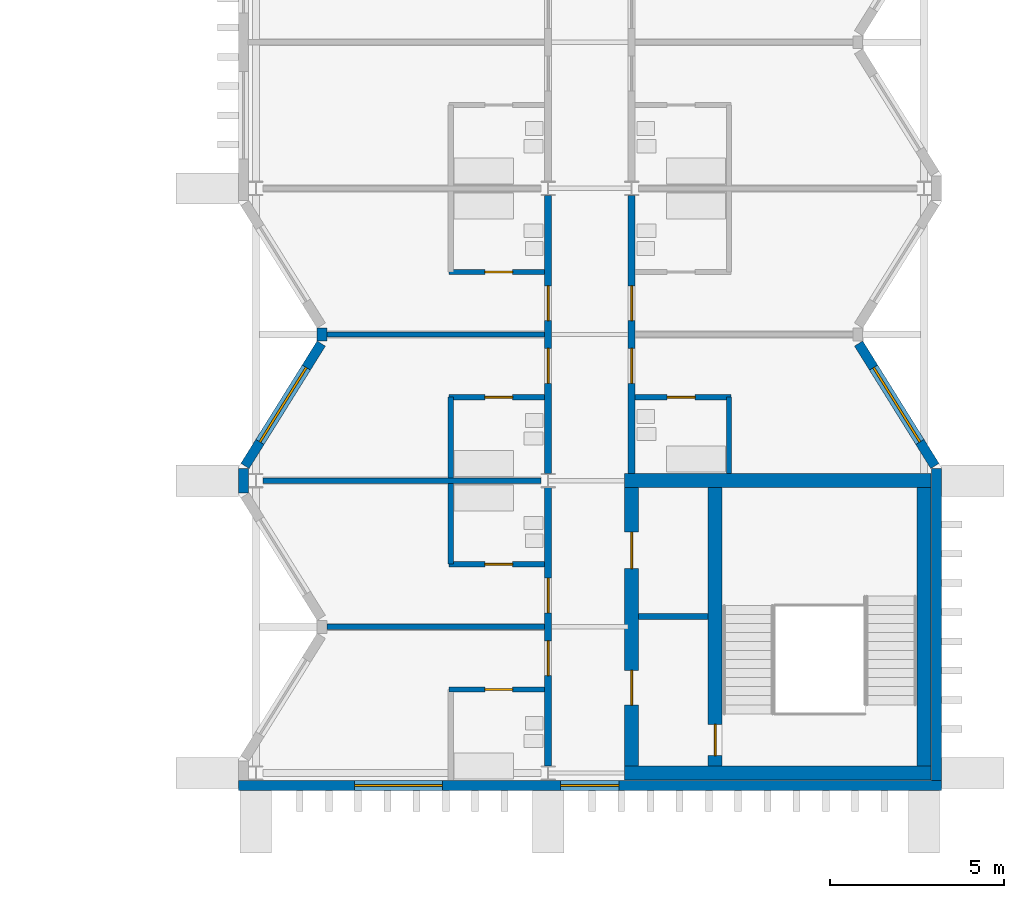
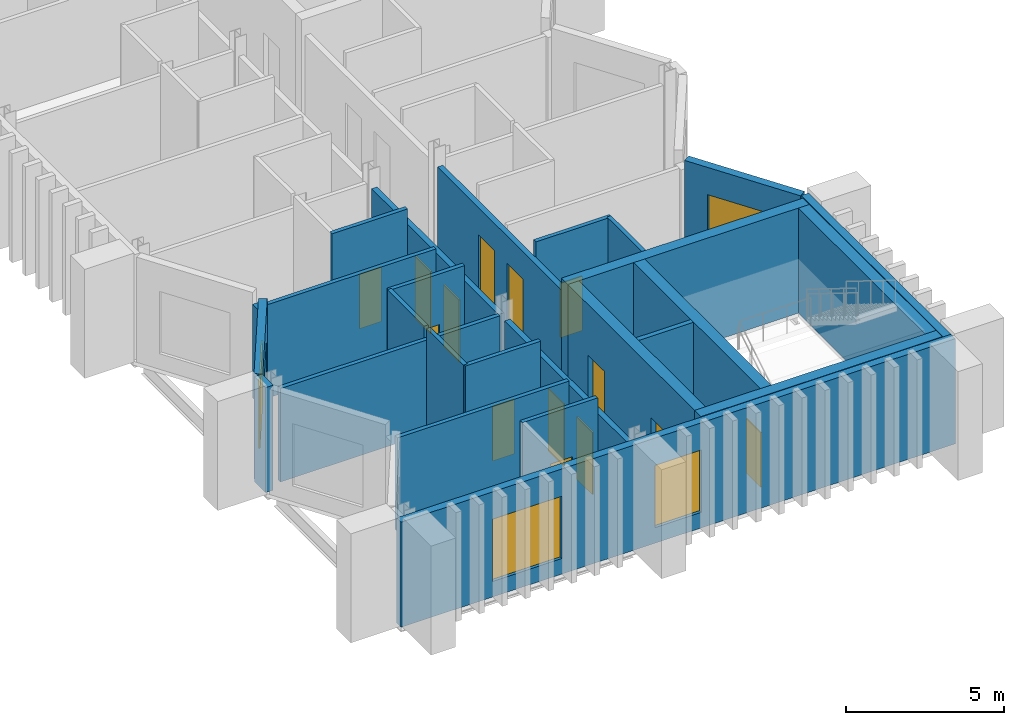
# One storey, part 12 of 20: 26 walls, 14 doors, 4 windows, 18 openings.
"""IFC4 building model written with IfcOpenShell, lengths in metres."""

import ifcopenshell
import ifcopenshell.guid

model = None  # the IFC model being written
_history = None  # IfcOwnerHistory: only IFC2X3 demands one
_inside = {}  # id of a spatial element -> (the spatial element, [elements in it])
_under = {}  # id of a project, library or spatial element -> (it, [spatial elements below it])
_declared = {}  # id of a project -> (the project, [libraries it declares])
_typed = {}  # id of a type object -> (the type object, [elements of that type])
_made_of = {}  # id of a material, layer set ... -> (it, [elements and type objects made of it])


def new_model(schema):
    """Start an empty IFC model of exactly this schema.

    Asked for "IFC4X3", IfcOpenShell would pick the latest addendum, in which some entities
    have other attributes; the version numbers below select the first issue.
    IFC2X3 requires an IfcOwnerHistory on every rooted entity: one is made here for all.
    """
    global model, _history
    if schema == "IFC4X3":
        model = ifcopenshell.file(schema_version=(4, 3, 0, 0))
    else:
        model = ifcopenshell.file(schema=schema)
    _inside.clear()
    _under.clear()
    _declared.clear()
    _typed.clear()
    _made_of.clear()
    _history = None
    if model.schema == "IFC2X3":
        org = make("IfcOrganization", Name="unknown")
        user = make(
            "IfcPersonAndOrganization",
            ThePerson=make("IfcPerson", FamilyName="unknown"),
            TheOrganization=org,
        )
        app = make(
            "IfcApplication",
            ApplicationDeveloper=org,
            Version="unknown",
            ApplicationFullName="unknown",
            ApplicationIdentifier="unknown",
        )
        _history = make(
            "IfcOwnerHistory",
            OwningUser=user,
            OwningApplication=app,
            ChangeAction="ADDED",
            CreationDate=0,
        )
    return model


def make(cls, **values):
    """One entity of the class cls with the attributes given. An attribute that is None is left unset."""
    return model.create_entity(
        cls, **{name: value for name, value in values.items() if value is not None}
    )


def rooted(cls, **values):
    """An entity with a GlobalId (a new one), such as an element, a storey or a relation."""
    return make(cls, GlobalId=ifcopenshell.guid.new(), OwnerHistory=_history, **values)


def si_unit(unit_type, name, prefix=None):
    """IfcSIUnit, for example si_unit("LENGTHUNIT", "METRE", prefix="MILLI")."""
    return make("IfcSIUnit", UnitType=unit_type, Prefix=prefix, Name=name)


def assignment(units):
    """IfcUnitAssignment: the units of a project."""
    return None if units is None else make("IfcUnitAssignment", Units=units)


def point(xyz):
    """IfcCartesianPoint."""
    return None if xyz is None else make("IfcCartesianPoint", Coordinates=xyz)


def direction(xyz):
    """IfcDirection."""
    return None if xyz is None else make("IfcDirection", DirectionRatios=xyz)


def frame(location, z_axis=None, x_axis=None):
    """IfcAxis2Placement3D, a coordinate frame: its origin and axes. An axis left out is left unset."""
    return make(
        "IfcAxis2Placement3D",
        Location=point(location),
        Axis=direction(z_axis),
        RefDirection=direction(x_axis),
    )


def frame_2d(location, x_axis=None):
    """IfcAxis2Placement2D, a coordinate frame in the plane: its origin and x axis."""
    return make(
        "IfcAxis2Placement2D", Location=point(location), RefDirection=direction(x_axis)
    )


def origin():
    """The frame at (0, 0, 0) with its axes left unset."""
    return frame((0.0, 0.0, 0.0))


def place(relative_to, where):
    """IfcLocalPlacement: puts the frame where relative to a parent placement (None: the world)."""
    return make(
        "IfcLocalPlacement", PlacementRelTo=relative_to, RelativePlacement=where
    )


def context(
    kind, dimensions, precision=None, world=None, true_north=None, identifier=None
):
    """IfcGeometricRepresentationContext, for example the 3D "Model" context."""
    return make(
        "IfcGeometricRepresentationContext",
        ContextIdentifier=identifier,
        ContextType=kind,
        CoordinateSpaceDimension=dimensions,
        Precision=precision,
        WorldCoordinateSystem=world,
        TrueNorth=true_north,
    )


def subcontext(parent, identifier, kind, view, scale=None):
    """IfcGeometricRepresentationSubContext, for example "Body" below "Model"."""
    return make(
        "IfcGeometricRepresentationSubContext",
        ContextIdentifier=identifier,
        ContextType=kind,
        ParentContext=parent,
        TargetScale=scale,
        TargetView=view,
    )


def project(units=None, contexts=None):
    """IfcProject with its units and contexts."""
    return rooted(
        "IfcProject",
        Name="project",
        RepresentationContexts=contexts,
        UnitsInContext=assignment(units),
    )


def spatial(cls, under=None, at=None, **own):
    """A site, building, storey or space (cls), placed at a placement, below another one or the project."""
    s = rooted(cls, ObjectPlacement=at, **own)
    if under is not None:
        _under.setdefault(under.id(), (under, []))[1].append(s)
    return s


def profile(cls, at=None, kind="AREA", **sizes):
    """A parametric profile (cls). Its sizes go by their IFC names, for example OverallWidth=200.0."""
    return make(cls, ProfileType=kind, Position=at, **sizes)


def rectangle(**sizes):
    """IfcRectangleProfileDef."""
    return profile("IfcRectangleProfileDef", **sizes)


def extrude(swept, where, along, depth):
    """IfcExtrudedAreaSolid: the profile swept, set in the frame where, extruded along a direction by depth."""
    return make(
        "IfcExtrudedAreaSolid",
        SweptArea=swept,
        Position=where,
        ExtrudedDirection=direction(along),
        Depth=depth,
    )


def shape(context_of_items, identifier, shape_type, items):
    """IfcShapeRepresentation: the items that make up one representation, for example the "Body"."""
    return make(
        "IfcShapeRepresentation",
        ContextOfItems=context_of_items,
        RepresentationIdentifier=identifier,
        RepresentationType=shape_type,
        Items=items,
    )


def material(Name=None, Category=None):
    """IfcMaterial."""
    return make("IfcMaterial", Name=Name, Category=Category)


def layer(
    of_material, thickness, ventilated=None, Name=None, Category=None, Priority=None
):
    """IfcMaterialLayer: one layer of a wall or slab, of a material (None: an air gap)."""
    return make(
        "IfcMaterialLayer",
        Material=of_material,
        LayerThickness=thickness,
        IsVentilated=ventilated,
        Name=Name,
        Category=Category,
        Priority=Priority,
    )


def layer_set(layers, Name=None):
    """IfcMaterialLayerSet."""
    return make("IfcMaterialLayerSet", MaterialLayers=layers, LayerSetName=Name)


def made_of(thing, what):
    """Note that an element or type object is made of a material, layer set ...; save() writes the relation."""
    if what is not None:
        _made_of.setdefault(what.id(), (what, []))[1].append(thing)
    return thing


def type_object(cls, material=None, **own):
    """A type object (cls), such as IfcWallType, which elements share."""
    return made_of(rooted(cls, **own), material)


def element(
    cls,
    number,
    at=None,
    inside=None,
    cuts=None,
    type_object=None,
    material=None,
    context=None,
    identifier="Body",
    shape_type=None,
    held_by="IfcProductDefinitionShape",
    body=None,
    shapes=None,
    **own,
):
    """One element of the class cls, such as IfcWall. Its Tag is "e" and its number.

    at: its placement. inside: the storey or other place that contains it. cuts: it is an
    opening in that element (IfcRelVoidsElement). A single representation is given by context,
    identifier, shape_type and body (its items); several are given by shapes. held_by: the class
    of the entity that holds the representations. save() writes the other relations.
    """
    e = rooted(cls, Tag="e%d" % number, ObjectPlacement=at, **own)
    if body is not None:
        shapes = [shape(context, identifier, shape_type, body)]
    if shapes is not None:
        e.Representation = make(held_by, Representations=shapes)
    if inside is not None:
        _inside.setdefault(inside.id(), (inside, []))[1].append(e)
    if cuts is not None:
        rooted(
            "IfcRelVoidsElement", RelatingBuildingElement=cuts, RelatedOpeningElement=e
        )
    if type_object is not None:
        _typed.setdefault(type_object.id(), (type_object, []))[1].append(e)
    return made_of(e, material)


def fill(opening, filler):
    """IfcRelFillsElement: the door or window that sits in an opening."""
    return rooted(
        "IfcRelFillsElement",
        RelatingOpeningElement=opening,
        RelatedBuildingElement=filler,
    )


def aggregate(whole, parts):
    """IfcRelAggregates: a whole, such as a stair, and the parts it consists of."""
    return rooted("IfcRelAggregates", RelatingObject=whole, RelatedObjects=parts)


def save(model, path):
    """Write the relations noted so far, then the file.

    IfcRelAggregates (storeys below a building ...), IfcRelContainedInSpatialStructure (elements
    in a storey), IfcRelDefinesByType, IfcRelAssociatesMaterial and IfcRelDeclares: one each for
    every whole, place, type object, material and project.
    """
    for whole, parts in _under.values():
        aggregate(whole, parts)
    for where, things in _inside.values():
        rooted(
            "IfcRelContainedInSpatialStructure",
            RelatedElements=things,
            RelatingStructure=where,
        )
    for kind, things in _typed.values():
        rooted("IfcRelDefinesByType", RelatedObjects=things, RelatingType=kind)
    for what, things in _made_of.values():
        rooted("IfcRelAssociatesMaterial", RelatedObjects=things, RelatingMaterial=what)
    for by, libraries in _declared.values():
        rooted("IfcRelDeclares", RelatingContext=by, RelatedDefinitions=libraries)
    model.write(path)


model = new_model("IFC4")

# Units and contexts
model_context = context("Model", 3, precision=1e-05, world=origin(), true_north=direction((0.0, 1.0)))
body_context = subcontext(model_context, "Body", "Model", "MODEL_VIEW")
ifc_project = project(units=[si_unit("LENGTHUNIT", "METRE"), si_unit("AREAUNIT", "SQUARE_METRE"), si_unit("VOLUMEUNIT", "CUBIC_METRE"), si_unit("PLANEANGLEUNIT", "RADIAN"), si_unit("MASSUNIT", "GRAM", prefix="KILO")], contexts=[model_context])

# Site, building, storey
site_placement = place(None, origin())
site = spatial("IfcSite", under=ifc_project, at=site_placement, CompositionType="ELEMENT")
building_placement = place(site_placement, origin())
building = spatial("IfcBuilding", under=site, at=building_placement, Name="Cresset Court Congress Hotel", CompositionType="ELEMENT")
storey_placement = place(building_placement, frame((0.0, 0.0, 27.0)))
storey = spatial("IfcBuildingStorey", under=building, at=storey_placement, Name="L06", CompositionType="ELEMENT", Elevation=27.0)

# Wall, openings, doors
ifc_material_1 = material(Name="Gypsum board partition")
ifc_layer_1 = layer(ifc_material_1, 0.199951171875)
ifc_layer_set_1 = layer_set([ifc_layer_1], Name="Corridor wall 200")
wall_type_1 = type_object("IfcWallType", Name="Corridor wall 200", PredefinedType="PARTITIONING", material=ifc_layer_set_1)
wall_1_placement = place(storey_placement, frame((165.60009765625, 0.199951171875, 0.0), z_axis=(0.0, 0.0, 1.0), x_axis=(0.0, 1.0, 0.0)))
wall_1 = element("IfcWall", 1, at=wall_1_placement, inside=storey, type_object=wall_type_1, Name="A.wl.L06.070", PredefinedType="PARTITIONING", context=body_context, shape_type="SweptSolid", body=[
    extrude(rectangle(XDim=8.0, YDim=0.199951171875, at=frame_2d((4.0, 0.0))), origin(), (0.0, 0.0, 1.0), 3.449951171875),
])
opening_1_placement = place(wall_1_placement, frame((2.60009765625, 0.0, 0.0)))
opening_1 = element("IfcOpeningElement", 2, at=opening_1_placement, cuts=wall_1, Name="Opening DA-06-02", PredefinedType="OPENING", context=body_context, shape_type="SweptSolid", body=[
    extrude(rectangle(XDim=1.0, YDim=2.39990234375, at=frame_2d((0.5, 1.199951171875))), frame((0.0, 0.10986328125, 0.0), z_axis=(0.0, -1.0, 0.0), x_axis=(1.0, 0.0, 0.0)), (0.0, 0.0, 1.0), 0.219970703125),
])
opening_2_placement = place(wall_1_placement, frame((4.39990234375, 0.0, 0.0)))
opening_2 = element("IfcOpeningElement", 3, at=opening_2_placement, cuts=wall_1, Name="Opening DA-06-04", PredefinedType="OPENING", context=body_context, shape_type="SweptSolid", body=[
    extrude(rectangle(XDim=1.0, YDim=2.39990234375, at=frame_2d((0.5, 1.199951171875))), frame((0.0, 0.10986328125, 0.0), z_axis=(0.0, -1.0, 0.0), x_axis=(1.0, 0.0, 0.0)), (0.0, 0.0, 1.0), 0.219970703125),
])
ifc_material_2 = material(Name="timber", Category="wood")
door_type_1 = type_object("IfcDoorType", Name="Guest-room entry door 1000x2400 FD30S", OperationType="SINGLE_SWING_LEFT", PredefinedType="DOOR", material=ifc_material_2)
door_1_placement = place(opening_1_placement, origin())
door_1 = element("IfcDoor", 4, at=door_1_placement, inside=storey, type_object=door_type_1, Name="Door DA-06-02", OperationType="SINGLE_SWING_RIGHT", OverallHeight=2.39990234375, OverallWidth=1.0, PredefinedType="DOOR", context=body_context, shape_type="SweptSolid", body=[
    extrude(rectangle(XDim=1.0, YDim=2.39990234375, at=frame_2d((0.5, 1.199951171875))), frame((0.0, 0.02490234375, 0.0), z_axis=(0.0, -1.0, 0.0), x_axis=(1.0, 0.0, 0.0)), (0.0, 0.0, 1.0), 0.050048828125),
])
fill(opening_1, door_1)
door_2_placement = place(opening_2_placement, origin())
door_2 = element("IfcDoor", 5, at=door_2_placement, inside=storey, type_object=door_type_1, Name="Door DA-06-04", OperationType="SINGLE_SWING_LEFT", OverallHeight=2.39990234375, OverallWidth=1.0, PredefinedType="DOOR", context=body_context, shape_type="SweptSolid", body=[
    extrude(rectangle(XDim=1.0, YDim=2.39990234375, at=frame_2d((0.5, 1.199951171875))), frame((0.0, 0.02490234375, 0.0), z_axis=(0.0, -1.0, 0.0), x_axis=(1.0, 0.0, 0.0)), (0.0, 0.0, 1.0), 0.050048828125),
])
fill(opening_2, door_2)

wall_2_placement = place(storey_placement, frame((165.60009765625, 8.60009765625, 0.0), z_axis=(0.0, 0.0, 1.0), x_axis=(0.0, 1.0, 0.0)))
wall_2 = element("IfcWall", 6, at=wall_2_placement, inside=storey, type_object=wall_type_1, Name="A.wl.L06.071", PredefinedType="PARTITIONING", context=body_context, shape_type="SweptSolid", body=[
    extrude(rectangle(XDim=8.0, YDim=0.199951171875, at=frame_2d((4.0, 0.0))), origin(), (0.0, 0.0, 1.0), 3.449951171875),
])
opening_3_placement = place(wall_2_placement, frame((2.60009765625, 0.0, 0.0)))
opening_3 = element("IfcOpeningElement", 7, at=opening_3_placement, cuts=wall_2, Name="Opening DA-06-06", PredefinedType="OPENING", context=body_context, shape_type="SweptSolid", body=[
    extrude(rectangle(XDim=1.0, YDim=2.39990234375, at=frame_2d((0.5, 1.199951171875))), frame((0.0, 0.10986328125, 0.0), z_axis=(0.0, -1.0, 0.0), x_axis=(1.0, 0.0, 0.0)), (0.0, 0.0, 1.0), 0.219970703125),
])
opening_4_placement = place(wall_2_placement, frame((4.39990234375, 0.0, 0.0)))
opening_4 = element("IfcOpeningElement", 8, at=opening_4_placement, cuts=wall_2, Name="Opening DA-06-08", PredefinedType="OPENING", context=body_context, shape_type="SweptSolid", body=[
    extrude(rectangle(XDim=1.0, YDim=2.39990234375, at=frame_2d((0.5, 1.199951171875))), frame((0.0, 0.10986328125, 0.0), z_axis=(0.0, -1.0, 0.0), x_axis=(1.0, 0.0, 0.0)), (0.0, 0.0, 1.0), 0.219970703125),
])
door_3_placement = place(opening_3_placement, origin())
door_3 = element("IfcDoor", 9, at=door_3_placement, inside=storey, type_object=door_type_1, Name="Door DA-06-06", OperationType="SINGLE_SWING_RIGHT", OverallHeight=2.39990234375, OverallWidth=1.0, PredefinedType="DOOR", context=body_context, shape_type="SweptSolid", body=[
    extrude(rectangle(XDim=1.0, YDim=2.39990234375, at=frame_2d((0.5, 1.199951171875))), frame((0.0, 0.02490234375, 0.0), z_axis=(0.0, -1.0, 0.0), x_axis=(1.0, 0.0, 0.0)), (0.0, 0.0, 1.0), 0.050048828125),
])
fill(opening_3, door_3)
door_4_placement = place(opening_4_placement, origin())
door_4 = element("IfcDoor", 10, at=door_4_placement, inside=storey, type_object=door_type_1, Name="Door DA-06-08", OperationType="SINGLE_SWING_LEFT", OverallHeight=2.39990234375, OverallWidth=1.0, PredefinedType="DOOR", context=body_context, shape_type="SweptSolid", body=[
    extrude(rectangle(XDim=1.0, YDim=2.39990234375, at=frame_2d((0.5, 1.199951171875))), frame((0.0, 0.02490234375, 0.0), z_axis=(0.0, -1.0, 0.0), x_axis=(1.0, 0.0, 0.0)), (0.0, 0.0, 1.0), 0.050048828125),
])
fill(opening_4, door_4)

wall_3_placement = place(storey_placement, frame((168.0, 8.60009765625, 0.0), z_axis=(0.0, 0.0, 1.0), x_axis=(0.0, 1.0, 0.0)))
wall_3 = element("IfcWall", 11, at=wall_3_placement, inside=storey, type_object=wall_type_1, Name="A.wl.L06.078", PredefinedType="PARTITIONING", context=body_context, shape_type="SweptSolid", body=[
    extrude(rectangle(XDim=8.0, YDim=0.199951171875, at=frame_2d((4.0, 0.0))), origin(), (0.0, 0.0, 1.0), 3.449951171875),
])
opening_5_placement = place(wall_3_placement, frame((2.60009765625, 0.0, 0.0)))
opening_5 = element("IfcOpeningElement", 12, at=opening_5_placement, cuts=wall_3, Name="Opening DA-06-34", PredefinedType="OPENING", context=body_context, shape_type="SweptSolid", body=[
    extrude(rectangle(XDim=1.0, YDim=2.39990234375, at=frame_2d((0.5, 1.199951171875))), frame((0.0, 0.10986328125, 0.0), z_axis=(0.0, -1.0, 0.0), x_axis=(1.0, 0.0, 0.0)), (0.0, 0.0, 1.0), 0.219970703125),
])
opening_6_placement = place(wall_3_placement, frame((4.39990234375, 0.0, 0.0)))
opening_6 = element("IfcOpeningElement", 13, at=opening_6_placement, cuts=wall_3, Name="Opening DA-06-36", PredefinedType="OPENING", context=body_context, shape_type="SweptSolid", body=[
    extrude(rectangle(XDim=1.0, YDim=2.39990234375, at=frame_2d((0.5, 1.199951171875))), frame((0.0, 0.10986328125, 0.0), z_axis=(0.0, -1.0, 0.0), x_axis=(1.0, 0.0, 0.0)), (0.0, 0.0, 1.0), 0.219970703125),
])
door_5_placement = place(opening_5_placement, origin())
door_5 = element("IfcDoor", 14, at=door_5_placement, inside=storey, type_object=door_type_1, Name="Door DA-06-34", OperationType="SINGLE_SWING_RIGHT", OverallHeight=2.39990234375, OverallWidth=1.0, PredefinedType="DOOR", context=body_context, shape_type="SweptSolid", body=[
    extrude(rectangle(XDim=1.0, YDim=2.39990234375, at=frame_2d((0.5, 1.199951171875))), frame((0.0, 0.02490234375, 0.0), z_axis=(0.0, -1.0, 0.0), x_axis=(1.0, 0.0, 0.0)), (0.0, 0.0, 1.0), 0.050048828125),
])
fill(opening_5, door_5)
door_6_placement = place(opening_6_placement, origin())
door_6 = element("IfcDoor", 15, at=door_6_placement, inside=storey, type_object=door_type_1, Name="Door DA-06-36", OperationType="SINGLE_SWING_LEFT", OverallHeight=2.39990234375, OverallWidth=1.0, PredefinedType="DOOR", context=body_context, shape_type="SweptSolid", body=[
    extrude(rectangle(XDim=1.0, YDim=2.39990234375, at=frame_2d((0.5, 1.199951171875))), frame((0.0, 0.02490234375, 0.0), z_axis=(0.0, -1.0, 0.0), x_axis=(1.0, 0.0, 0.0)), (0.0, 0.0, 1.0), 0.050048828125),
])
fill(opening_6, door_6)

# Wall, opening, door
ifc_material_3 = material(Name="Gypsum board partition")
ifc_layer_2 = layer(ifc_material_3, 0.14990234375)
ifc_layer_set_2 = layer_set([ifc_layer_2], Name="En-suite wall 150")
wall_type_2 = type_object("IfcWallType", Name="En-suite wall 150", PredefinedType="PARTITIONING", material=ifc_layer_set_2)
wall_4_placement = place(storey_placement, frame((162.75, 2.39990234375, 0.0), z_axis=(0.0, 0.0, 1.0), x_axis=(1.0, 0.0, 0.0)))
wall_4 = element("IfcWall", 16, at=wall_4_placement, inside=storey, type_object=wall_type_2, Name="A.wl.L06.002", PredefinedType="PARTITIONING", context=body_context, shape_type="SweptSolid", body=[
    extrude(rectangle(XDim=2.75, YDim=0.14990234375, at=frame_2d((1.375, 0.0))), origin(), (0.0, 0.0, 1.0), 4.050048828125),
])
opening_7_placement = place(wall_4_placement, frame((1.030029296875, 0.0, 0.0)))
opening_7 = element("IfcOpeningElement", 17, at=opening_7_placement, cuts=wall_4, Name="Opening DA-06-01", PredefinedType="OPENING", context=body_context, shape_type="SweptSolid", body=[
    extrude(rectangle(XDim=0.800048828125, YDim=2.10009765625, at=frame_2d((0.39990234375, 1.050048828125))), frame((0.0, 0.0849609375, 0.0), z_axis=(0.0, -1.0, 0.0), x_axis=(1.0, 0.0, 0.0)), (0.0, 0.0, 1.0), 0.169921875),
])
ifc_material_4 = material(Name="timber", Category="wood")
door_type_2 = type_object("IfcDoorType", Name="En-suite door 800x2100", OperationType="SINGLE_SWING_LEFT", PredefinedType="DOOR", material=ifc_material_4)
door_7_placement = place(opening_7_placement, origin())
door_7 = element("IfcDoor", 18, at=door_7_placement, inside=storey, type_object=door_type_2, Name="Door DA-06-01", OperationType="SINGLE_SWING_RIGHT", OverallHeight=2.10009765625, OverallWidth=0.800048828125, PredefinedType="DOOR", context=body_context, shape_type="SweptSolid", body=[
    extrude(rectangle(XDim=0.800048828125, YDim=2.10009765625, at=frame_2d((0.39990234375, 1.050048828125))), frame((0.0, 0.02490234375, 0.0), z_axis=(0.0, -1.0, 0.0), x_axis=(1.0, 0.0, 0.0)), (0.0, 0.0, 1.0), 0.050048828125),
])
fill(opening_7, door_7)

# Wall
wall_5_placement = place(storey_placement, frame((162.800048828125, 6.0, 0.0), z_axis=(0.0, 0.0, 1.0), x_axis=(0.0, 1.0, 0.0)))
element("IfcWall", 19, at=wall_5_placement, inside=storey, type_object=wall_type_2, Name="A.wl.L06.003", PredefinedType="PARTITIONING", context=body_context, shape_type="SweptSolid", body=[
    extrude(rectangle(XDim=2.324951171875, YDim=0.14990234375, at=frame_2d((1.16259765625, 0.0))), origin(), (0.0, 0.0, 1.0), 4.050048828125),
])

# Wall, opening, door
wall_6_placement = place(storey_placement, frame((162.75, 6.0, 0.0), z_axis=(0.0, 0.0, 1.0), x_axis=(1.0, 0.0, 0.0)))
wall_6 = element("IfcWall", 20, at=wall_6_placement, inside=storey, type_object=wall_type_2, Name="A.wl.L06.004", PredefinedType="PARTITIONING", context=body_context, shape_type="SweptSolid", body=[
    extrude(rectangle(XDim=2.75, YDim=0.14990234375, at=frame_2d((1.375, 0.0))), origin(), (0.0, 0.0, 1.0), 4.050048828125),
])
opening_8_placement = place(wall_6_placement, frame((1.030029296875, 0.0, 0.0)))
opening_8 = element("IfcOpeningElement", 21, at=opening_8_placement, cuts=wall_6, Name="Opening DA-06-03", PredefinedType="OPENING", context=body_context, shape_type="SweptSolid", body=[
    extrude(rectangle(XDim=0.800048828125, YDim=2.10009765625, at=frame_2d((0.39990234375, 1.050048828125))), frame((0.0, 0.0849609375, 0.0), z_axis=(0.0, -1.0, 0.0), x_axis=(1.0, 0.0, 0.0)), (0.0, 0.0, 1.0), 0.169921875),
])
door_8_placement = place(opening_8_placement, origin())
door_8 = element("IfcDoor", 22, at=door_8_placement, inside=storey, type_object=door_type_2, Name="Door DA-06-03", OperationType="SINGLE_SWING_LEFT", OverallHeight=2.10009765625, OverallWidth=0.800048828125, PredefinedType="DOOR", context=body_context, shape_type="SweptSolid", body=[
    extrude(rectangle(XDim=0.800048828125, YDim=2.10009765625, at=frame_2d((0.39990234375, 1.050048828125))), frame((0.0, 0.02490234375, 0.0), z_axis=(0.0, -1.0, 0.0), x_axis=(1.0, 0.0, 0.0)), (0.0, 0.0, 1.0), 0.050048828125),
])
fill(opening_8, door_8)

# Wall
wall_7_placement = place(storey_placement, frame((162.800048828125, 8.47509765625, 0.0), z_axis=(0.0, 0.0, 1.0), x_axis=(0.0, 1.0, 0.0)))
element("IfcWall", 23, at=wall_7_placement, inside=storey, type_object=wall_type_2, Name="A.wl.L06.005", PredefinedType="PARTITIONING", context=body_context, shape_type="SweptSolid", body=[
    extrude(rectangle(XDim=2.324951171875, YDim=0.14990234375, at=frame_2d((1.16259765625, 0.0))), origin(), (0.0, 0.0, 1.0), 4.050048828125),
])

# Wall, opening, door
wall_8_placement = place(storey_placement, frame((162.75, 10.800048828125, 0.0), z_axis=(0.0, 0.0, 1.0), x_axis=(1.0, 0.0, 0.0)))
wall_8 = element("IfcWall", 24, at=wall_8_placement, inside=storey, type_object=wall_type_2, Name="A.wl.L06.006", PredefinedType="PARTITIONING", context=body_context, shape_type="SweptSolid", body=[
    extrude(rectangle(XDim=2.75, YDim=0.14990234375, at=frame_2d((1.375, 0.0))), origin(), (0.0, 0.0, 1.0), 4.050048828125),
])
opening_9_placement = place(wall_8_placement, frame((1.030029296875, 0.0, 0.0)))
opening_9 = element("IfcOpeningElement", 25, at=opening_9_placement, cuts=wall_8, Name="Opening DA-06-05", PredefinedType="OPENING", context=body_context, shape_type="SweptSolid", body=[
    extrude(rectangle(XDim=0.800048828125, YDim=2.10009765625, at=frame_2d((0.39990234375, 1.050048828125))), frame((0.0, 0.0849609375, 0.0), z_axis=(0.0, -1.0, 0.0), x_axis=(1.0, 0.0, 0.0)), (0.0, 0.0, 1.0), 0.169921875),
])
door_9_placement = place(opening_9_placement, origin())
door_9 = element("IfcDoor", 26, at=door_9_placement, inside=storey, type_object=door_type_2, Name="Door DA-06-05", OperationType="SINGLE_SWING_RIGHT", OverallHeight=2.10009765625, OverallWidth=0.800048828125, PredefinedType="DOOR", context=body_context, shape_type="SweptSolid", body=[
    extrude(rectangle(XDim=0.800048828125, YDim=2.10009765625, at=frame_2d((0.39990234375, 1.050048828125))), frame((0.0, 0.02490234375, 0.0), z_axis=(0.0, -1.0, 0.0), x_axis=(1.0, 0.0, 0.0)), (0.0, 0.0, 1.0), 0.050048828125),
])
fill(opening_9, door_9)

wall_9_placement = place(storey_placement, frame((162.75, 14.39990234375, 0.0), z_axis=(0.0, 0.0, 1.0), x_axis=(1.0, 0.0, 0.0)))
wall_9 = element("IfcWall", 27, at=wall_9_placement, inside=storey, type_object=wall_type_2, Name="A.wl.L06.008", PredefinedType="PARTITIONING", context=body_context, shape_type="SweptSolid", body=[
    extrude(rectangle(XDim=2.75, YDim=0.14990234375, at=frame_2d((1.375, 0.0))), origin(), (0.0, 0.0, 1.0), 4.050048828125),
])
opening_10_placement = place(wall_9_placement, frame((1.030029296875, 0.0, 0.0)))
opening_10 = element("IfcOpeningElement", 28, at=opening_10_placement, cuts=wall_9, Name="Opening DA-06-07", PredefinedType="OPENING", context=body_context, shape_type="SweptSolid", body=[
    extrude(rectangle(XDim=0.800048828125, YDim=2.10009765625, at=frame_2d((0.39990234375, 1.050048828125))), frame((0.0, 0.0849609375, 0.0), z_axis=(0.0, -1.0, 0.0), x_axis=(1.0, 0.0, 0.0)), (0.0, 0.0, 1.0), 0.169921875),
])
door_10_placement = place(opening_10_placement, origin())
door_10 = element("IfcDoor", 29, at=door_10_placement, inside=storey, type_object=door_type_2, Name="Door DA-06-07", OperationType="SINGLE_SWING_LEFT", OverallHeight=2.10009765625, OverallWidth=0.800048828125, PredefinedType="DOOR", context=body_context, shape_type="SweptSolid", body=[
    extrude(rectangle(XDim=0.800048828125, YDim=2.10009765625, at=frame_2d((0.39990234375, 1.050048828125))), frame((0.0, 0.02490234375, 0.0), z_axis=(0.0, -1.0, 0.0), x_axis=(1.0, 0.0, 0.0)), (0.0, 0.0, 1.0), 0.050048828125),
])
fill(opening_10, door_10)

# Wall
wall_10_placement = place(storey_placement, frame((170.800048828125, 8.60009765625, 0.0), z_axis=(0.0, 0.0, 1.0), x_axis=(0.0, 1.0, 0.0)))
element("IfcWall", 30, at=wall_10_placement, inside=storey, type_object=wall_type_2, Name="A.wl.L06.033", PredefinedType="PARTITIONING", context=body_context, shape_type="SweptSolid", body=[
    extrude(rectangle(XDim=2.199951171875, YDim=0.14990234375, at=frame_2d((1.10009765625, 0.0))), origin(), (0.0, 0.0, 1.0), 4.050048828125),
])

# Wall, opening, door
wall_11_placement = place(storey_placement, frame((170.85009765625, 10.800048828125, 0.0), z_axis=(0.0, 0.0, 1.0), x_axis=(-1.0, 0.0, 0.0)))
wall_11 = element("IfcWall", 31, at=wall_11_placement, inside=storey, type_object=wall_type_2, Name="A.wl.L06.034", PredefinedType="PARTITIONING", context=body_context, shape_type="SweptSolid", body=[
    extrude(rectangle(XDim=2.75, YDim=0.14990234375, at=frame_2d((1.375, 0.0))), origin(), (0.0, 0.0, 1.0), 4.050048828125),
])
opening_11_placement = place(wall_11_placement, frame((1.030029296875, 0.0, 0.0)))
opening_11 = element("IfcOpeningElement", 32, at=opening_11_placement, cuts=wall_11, Name="Opening DA-06-33", PredefinedType="OPENING", context=body_context, shape_type="SweptSolid", body=[
    extrude(rectangle(XDim=0.800048828125, YDim=2.10009765625, at=frame_2d((0.39990234375, 1.050048828125))), frame((0.0, 0.0849609375, 0.0), z_axis=(0.0, -1.0, 0.0), x_axis=(1.0, 0.0, 0.0)), (0.0, 0.0, 1.0), 0.169921875),
])
door_11_placement = place(opening_11_placement, origin())
door_11 = element("IfcDoor", 33, at=door_11_placement, inside=storey, type_object=door_type_2, Name="Door DA-06-33", OperationType="SINGLE_SWING_RIGHT", OverallHeight=2.10009765625, OverallWidth=0.800048828125, PredefinedType="DOOR", context=body_context, shape_type="SweptSolid", body=[
    extrude(rectangle(XDim=0.800048828125, YDim=2.10009765625, at=frame_2d((0.39990234375, 1.050048828125))), frame((0.0, 0.02490234375, 0.0), z_axis=(0.0, -1.0, 0.0), x_axis=(1.0, 0.0, 0.0)), (0.0, 0.0, 1.0), 0.050048828125),
])
fill(opening_11, door_11)

# Wall
ifc_material_5 = material(Name="Precast concrete C50", Category="concrete")
ifc_layer_3 = layer(ifc_material_5, 0.280029296875)
ifc_layer_set_3 = layer_set([ifc_layer_3], Name="External wall 280")
wall_type_3 = type_object("IfcWallType", Name="External wall 280", PredefinedType="SOLIDWALL", material=ifc_layer_set_3)
wall_12_placement = place(storey_placement, frame((156.840087890625, 8.050048828125, 0.0), z_axis=(0.0, 0.0, 1.0), x_axis=(0.0, 1.0, 0.0)))
element("IfcWall", 34, at=wall_12_placement, inside=storey, type_object=wall_type_3, Name="A.ew.L06.W.2", PredefinedType="SOLIDWALL", context=body_context, shape_type="SweptSolid", body=[
    extrude(rectangle(XDim=0.699951171875, YDim=0.280029296875, at=frame_2d((0.35009765625, 0.0))), origin(), (0.0, 0.0, 1.0), 4.050048828125),
])

# Wall, opening, window
wall_13_placement = place(storey_placement, frame((156.88623046875, 8.82421875, 0.0), z_axis=(0.0, 0.0, 1.0), x_axis=(0.529018946142, 0.848610013271, 0.0)))
wall_13 = element("IfcWall", 35, at=wall_13_placement, inside=storey, type_object=wall_type_3, Name="A.ew.L06.Wn.1.0", PredefinedType="SOLIDWALL", context=body_context, shape_type="SweptSolid", body=[
    extrude(rectangle(XDim=4.144287109375, YDim=0.280029296875, at=frame_2d((2.072265625, 0.0))), origin(), (0.0, 0.0, 1.0), 4.050048828125),
])
opening_12_placement = place(wall_13_placement, frame((0.812255859375, 0.0, 0.60009765625)))
opening_12 = element("IfcOpeningElement", 36, at=opening_12_placement, cuts=wall_13, Name="Opening NA-06-03", PredefinedType="OPENING", context=body_context, shape_type="SweptSolid", body=[
    extrude(rectangle(XDim=2.52001953125, YDim=2.39990234375, at=frame_2d((1.260009765625, 1.199951171875))), frame((0.0, 0.14990234375, 0.0), z_axis=(0.0, -1.0, 0.0), x_axis=(1.0, 0.0, 0.0)), (0.0, 0.0, 1.0), 0.300048828125),
])
ifc_material_6 = material(Name="Aluminium and glass", Category="aluminium")
window_type_1 = type_object("IfcWindowType", Name="Window 2520x2400", PartitioningType="SINGLE_PANEL", PredefinedType="WINDOW", material=ifc_material_6)
window_1_placement = place(opening_12_placement, origin())
window_1 = element("IfcWindow", 37, at=window_1_placement, inside=storey, type_object=window_type_1, Name="Window NA-06-03", OverallHeight=2.39990234375, OverallWidth=2.52001953125, PartitioningType="SINGLE_PANEL", PredefinedType="WINDOW", context=body_context, shape_type="SweptSolid", body=[
    extrude(rectangle(XDim=2.52001953125, YDim=2.39990234375, at=frame_2d((1.260009765625, 1.199951171875))), frame((0.0, 0.030029296875, 0.0), z_axis=(0.0, -1.0, 0.0), x_axis=(1.0, 0.0, 0.0)), (0.0, 0.0, 1.0), 0.06005859375),
])
fill(opening_12, window_1)

# Walls
wall_14_placement = place(storey_placement, frame((159.099609375, 12.4150390625, 0.0), z_axis=(0.0, 0.0, 1.0), x_axis=(0.0, 1.0, 0.0)))
element("IfcWall", 38, at=wall_14_placement, inside=storey, type_object=wall_type_3, Name="A.ew.L06.Wn.1.2", PredefinedType="SOLIDWALL", context=body_context, shape_type="SweptSolid", body=[
    extrude(rectangle(XDim=0.369873046875, YDim=0.280029296875, at=frame_2d((0.18505859375, 0.0))), origin(), (0.0, 0.0, 1.0), 3.60400390625),
])
wall_15_placement = place(storey_placement, frame((176.760009765625, -0.219970703125, 0.0), z_axis=(0.0, 0.0, 1.0), x_axis=(0.0, 1.0, 0.0)))
element("IfcWall", 39, at=wall_15_placement, inside=storey, type_object=wall_type_3, Name="A.ew.L06.E.1", PredefinedType="SOLIDWALL", context=body_context, shape_type="SweptSolid", body=[
    extrude(rectangle(XDim=8.969970703125, YDim=0.280029296875, at=frame_2d((4.48486328125, 0.0))), origin(), (0.0, 0.0, 1.0), 4.050048828125),
])

# Wall, opening, window
wall_16_placement = place(storey_placement, frame((176.7138671875, 8.82421875, 0.0), z_axis=(0.0, 0.0, 1.0), x_axis=(-0.529018946142, 0.848610013271, 0.0)))
wall_16 = element("IfcWall", 40, at=wall_16_placement, inside=storey, type_object=wall_type_3, Name="A.ew.L06.En.1.0", PredefinedType="SOLIDWALL", context=body_context, shape_type="SweptSolid", body=[
    extrude(rectangle(XDim=4.144287109375, YDim=0.280029296875, at=frame_2d((2.072265625, 0.0))), origin(), (0.0, 0.0, 1.0), 4.050048828125),
])
opening_13_placement = place(wall_16_placement, frame((0.81201171875, 0.0, 0.60009765625)))
opening_13 = element("IfcOpeningElement", 41, at=opening_13_placement, cuts=wall_16, Name="Opening NA-06-17", PredefinedType="OPENING", context=body_context, shape_type="SweptSolid", body=[
    extrude(rectangle(XDim=2.52001953125, YDim=2.39990234375, at=frame_2d((1.260009765625, 1.199951171875))), frame((0.0, 0.14990234375, 0.0), z_axis=(0.0, -1.0, 0.0), x_axis=(1.0, 0.0, 0.0)), (0.0, 0.0, 1.0), 0.300048828125),
])
window_2_placement = place(opening_13_placement, origin())
window_2 = element("IfcWindow", 42, at=window_2_placement, inside=storey, type_object=window_type_1, Name="Window NA-06-17", OverallHeight=2.39990234375, OverallWidth=2.52001953125, PartitioningType="SINGLE_PANEL", PredefinedType="WINDOW", context=body_context, shape_type="SweptSolid", body=[
    extrude(rectangle(XDim=2.52001953125, YDim=2.39990234375, at=frame_2d((1.260009765625, 1.199951171875))), frame((0.0, 0.030029296875, 0.0), z_axis=(0.0, -1.0, 0.0), x_axis=(1.0, 0.0, 0.0)), (0.0, 0.0, 1.0), 0.06005859375),
])
fill(opening_13, window_2)

# Wall, openings, windows
ifc_material_7 = material(Name="Precast concrete C50", Category="concrete")
ifc_layer_4 = layer(ifc_material_7, 0.280029296875)
ifc_layer_set_4 = layer_set([ifc_layer_4], Name="Gable end wall 280")
wall_type_4 = type_object("IfcWallType", Name="Gable end wall 280", PredefinedType="SOLIDWALL", material=ifc_layer_set_4)
wall_17_placement = place(storey_placement, frame((156.699951171875, -0.360107421875, 0.0), z_axis=(0.0, 0.0, 1.0), x_axis=(1.0, 0.0, 0.0)))
wall_17 = element("IfcWall", 43, at=wall_17_placement, inside=storey, type_object=wall_type_4, Name="A.ew.L06.S.1", PredefinedType="SOLIDWALL", context=body_context, shape_type="SweptSolid", body=[
    extrude(rectangle(XDim=20.199951171875, YDim=0.280029296875, at=frame_2d((10.10009765625, 0.0))), origin(), (0.0, 0.0, 1.0), 4.050048828125),
])
opening_14_placement = place(wall_17_placement, frame((9.260009765625, 0.0, 0.60009765625)))
opening_14 = element("IfcOpeningElement", 44, at=opening_14_placement, cuts=wall_17, Name="Opening NA-06-25", PredefinedType="OPENING", context=body_context, shape_type="SweptSolid", body=[
    extrude(rectangle(XDim=1.679931640625, YDim=2.39990234375, at=frame_2d((0.83984375, 1.199951171875))), frame((0.0, 0.14990234375, 0.0), z_axis=(0.0, -1.0, 0.0), x_axis=(1.0, 0.0, 0.0)), (0.0, 0.0, 1.0), 0.300048828125),
])
opening_15_placement = place(wall_17_placement, frame((3.340087890625, 0.0, 0.60009765625)))
opening_15 = element("IfcOpeningElement", 45, at=opening_15_placement, cuts=wall_17, Name="Opening NA-06-26", PredefinedType="OPENING", context=body_context, shape_type="SweptSolid", body=[
    extrude(rectangle(XDim=2.52001953125, YDim=2.39990234375, at=frame_2d((1.260009765625, 1.199951171875))), frame((0.0, 0.14990234375, 0.0), z_axis=(0.0, -1.0, 0.0), x_axis=(1.0, 0.0, 0.0)), (0.0, 0.0, 1.0), 0.300048828125),
])
ifc_material_8 = material(Name="Aluminium and glass", Category="aluminium")
window_type_2 = type_object("IfcWindowType", Name="Window 1680x2400", PartitioningType="SINGLE_PANEL", PredefinedType="WINDOW", material=ifc_material_8)
window_3_placement = place(opening_14_placement, origin())
window_3 = element("IfcWindow", 46, at=window_3_placement, inside=storey, type_object=window_type_2, Name="Window NA-06-25", OverallHeight=2.39990234375, OverallWidth=1.679931640625, PartitioningType="SINGLE_PANEL", PredefinedType="WINDOW", context=body_context, shape_type="SweptSolid", body=[
    extrude(rectangle(XDim=1.679931640625, YDim=2.39990234375, at=frame_2d((0.83984375, 1.199951171875))), frame((0.0, 0.030029296875, 0.0), z_axis=(0.0, -1.0, 0.0), x_axis=(1.0, 0.0, 0.0)), (0.0, 0.0, 1.0), 0.06005859375),
])
fill(opening_14, window_3)
window_4_placement = place(opening_15_placement, origin())
window_4 = element("IfcWindow", 47, at=window_4_placement, inside=storey, type_object=window_type_1, Name="Window NA-06-26", OverallHeight=2.39990234375, OverallWidth=2.52001953125, PartitioningType="SINGLE_PANEL", PredefinedType="WINDOW", context=body_context, shape_type="SweptSolid", body=[
    extrude(rectangle(XDim=2.52001953125, YDim=2.39990234375, at=frame_2d((1.260009765625, 1.199951171875))), frame((0.0, 0.030029296875, 0.0), z_axis=(0.0, -1.0, 0.0), x_axis=(1.0, 0.0, 0.0)), (0.0, 0.0, 1.0), 0.06005859375),
])
fill(opening_15, window_4)

# Walls
ifc_material_9 = material(Name="Gypsum board partition")
ifc_layer_5 = layer(ifc_material_9, 0.14990234375)
ifc_layer_set_5 = layer_set([ifc_layer_5], Name="Guest-room partition 150")
wall_type_5 = type_object("IfcWallType", Name="Guest-room partition 150", PredefinedType="PARTITIONING", material=ifc_layer_set_5)
wall_18_placement = place(storey_placement, frame((157.39990234375, 8.39990234375, 0.0), z_axis=(0.0, 0.0, 1.0), x_axis=(1.0, 0.0, 0.0)))
element("IfcWall", 48, at=wall_18_placement, inside=storey, type_object=wall_type_5, Name="A.wl.L06.049", PredefinedType="PARTITIONING", context=body_context, shape_type="SweptSolid", body=[
    extrude(rectangle(XDim=8.0, YDim=0.14990234375, at=frame_2d((4.0, 0.0))), origin(), (0.0, 0.0, 1.0), 3.60400390625),
])
for number, where, z_axis, x_axis, name in (
    (49, (159.23974609375, 4.199951171875, 0.0), (0.0, 0.0, 1.0), (1.0, 0.0, 0.0), "A.wl.L06.058"),
    (50, (159.23974609375, 12.60009765625, 0.0), (0.0, 0.0, 1.0), (1.0, 0.0, 0.0), "A.wl.L06.059"),
):
    element("IfcWall", number, at=place(storey_placement, frame(where, z_axis=z_axis, x_axis=x_axis)), inside=storey, type_object=wall_type_5, Name=name, PredefinedType="PARTITIONING", context=body_context, shape_type="SweptSolid", body=[
        extrude(rectangle(XDim=6.26025390625, YDim=0.14990234375, at=frame_2d((3.130126953125, 0.0))), origin(), (0.0, 0.0, 1.0), 3.60400390625),
    ])
ifc_material_10 = material(Name="Concrete block wall", Category="concrete")
ifc_layer_6 = layer(ifc_material_10, 0.175048828125)
ifc_layer_set_6 = layer_set([ifc_layer_6], Name="Riser shaft wall 175")
wall_type_6 = type_object("IfcWallType", Name="Riser shaft wall 175", PredefinedType="PARTITIONING", material=ifc_layer_set_6)
wall_19_placement = place(storey_placement, frame((168.199951171875, 4.5, 0.0), z_axis=(0.0, 0.0, 1.0), x_axis=(1.0, 0.0, 0.0)))
element("IfcWall", 51, at=wall_19_placement, inside=storey, type_object=wall_type_6, Name="A.wl.L06.083", PredefinedType="PARTITIONING", context=body_context, shape_type="SweptSolid", body=[
    extrude(rectangle(XDim=2.0, YDim=0.175048828125, at=frame_2d((1.0, 0.0))), origin(), (0.0, 0.0, 1.0), 4.050048828125),
])
ifc_material_11 = material(Name="Concrete C50", Category="concrete")
ifc_layer_7 = layer(ifc_material_11, 0.39990234375)
ifc_layer_set_7 = layer_set([ifc_layer_7], Name="Stair core wall 400")
wall_type_7 = type_object("IfcWallType", Name="Stair core wall 400", PredefinedType="SOLIDWALL", material=ifc_layer_set_7)
for number, where, z_axis, x_axis, name in (
    (52, (167.800048828125, 0.0, 0.0), (0.0, 0.0, 1.0), (1.0, 0.0, 0.0), "A.cw.ST-A1.L06.S"),
    (53, (167.800048828125, 8.39990234375, 0.0), (0.0, 0.0, 1.0), (1.0, 0.0, 0.0), "A.cw.ST-A1.L06.N"),
):
    element("IfcWall", number, at=place(storey_placement, frame(where, z_axis=z_axis, x_axis=x_axis)), inside=storey, type_object=wall_type_7, Name=name, PredefinedType="SOLIDWALL", context=body_context, shape_type="SweptSolid", body=[
        extrude(rectangle(XDim=8.800048828125, YDim=0.39990234375, at=frame_2d((4.39990234375, 0.0))), origin(), (0.0, 0.0, 1.0), 4.050048828125),
    ])

# Wall, openings, doors
wall_20_placement = place(storey_placement, frame((168.0, 0.199951171875, 0.0), z_axis=(0.0, 0.0, 1.0), x_axis=(0.0, 1.0, 0.0)))
wall_20 = element("IfcWall", 54, at=wall_20_placement, inside=storey, type_object=wall_type_7, Name="A.cw.ST-A1.L06.W", PredefinedType="SOLIDWALL", context=body_context, shape_type="SweptSolid", body=[
    extrude(rectangle(XDim=8.0, YDim=0.39990234375, at=frame_2d((4.0, 0.0))), origin(), (0.0, 0.0, 1.0), 4.050048828125),
])
opening_16_placement = place(wall_20_placement, frame((1.75, 0.0, 0.0)))
opening_16 = element("IfcOpeningElement", 55, at=opening_16_placement, cuts=wall_20, Name="Opening DA-06-50", PredefinedType="OPENING", context=body_context, shape_type="SweptSolid", body=[
    extrude(rectangle(XDim=1.0, YDim=2.10009765625, at=frame_2d((0.5, 1.050048828125))), frame((0.0, 0.2099609375, 0.0), z_axis=(0.0, -1.0, 0.0), x_axis=(1.0, 0.0, 0.0)), (0.0, 0.0, 1.0), 0.419921875),
])
opening_17_placement = place(wall_20_placement, frame((5.675048828125, 0.0, 0.0)))
opening_17 = element("IfcOpeningElement", 56, at=opening_17_placement, cuts=wall_20, Name="Opening DA-06-51", PredefinedType="OPENING", context=body_context, shape_type="SweptSolid", body=[
    extrude(rectangle(XDim=1.050048828125, YDim=2.10009765625, at=frame_2d((0.52490234375, 1.050048828125))), frame((0.0, 0.2099609375, 0.0), z_axis=(0.0, -1.0, 0.0), x_axis=(1.0, 0.0, 0.0)), (0.0, 0.0, 1.0), 0.419921875),
])
ifc_material_12 = material(Name="steel", Category="steel")
door_type_3 = type_object("IfcDoorType", Name="Housekeeping room door 1050x2100 FD30", OperationType="SINGLE_SWING_LEFT", PredefinedType="DOOR", material=ifc_material_12)
door_12_placement = place(opening_17_placement, origin())
door_12 = element("IfcDoor", 57, at=door_12_placement, inside=storey, type_object=door_type_3, Name="Door DA-06-51", OperationType="SINGLE_SWING_LEFT", OverallHeight=2.10009765625, OverallWidth=1.050048828125, PredefinedType="DOOR", context=body_context, shape_type="SweptSolid", body=[
    extrude(rectangle(XDim=1.050048828125, YDim=2.10009765625, at=frame_2d((0.52490234375, 1.050048828125))), frame((0.0, 0.02490234375, 0.0), z_axis=(0.0, -1.0, 0.0), x_axis=(1.0, 0.0, 0.0)), (0.0, 0.0, 1.0), 0.050048828125),
])
fill(opening_17, door_12)
ifc_material_13 = material(Name="steel", Category="steel")
door_type_4 = type_object("IfcDoorType", Name="Lobby door 1000x2100 FD60", OperationType="SINGLE_SWING_LEFT", PredefinedType="DOOR", material=ifc_material_13)
door_13_placement = place(opening_16_placement, origin())
door_13 = element("IfcDoor", 58, at=door_13_placement, inside=storey, type_object=door_type_4, Name="Door DA-06-50", OperationType="SINGLE_SWING_RIGHT", OverallHeight=2.10009765625, OverallWidth=1.0, PredefinedType="DOOR", context=body_context, shape_type="SweptSolid", body=[
    extrude(rectangle(XDim=1.0, YDim=2.10009765625, at=frame_2d((0.5, 1.050048828125))), frame((0.0, 0.02490234375, 0.0), z_axis=(0.0, -1.0, 0.0), x_axis=(1.0, 0.0, 0.0)), (0.0, 0.0, 1.0), 0.050048828125),
])
fill(opening_16, door_13)

# Wall
wall_21_placement = place(storey_placement, frame((176.39990234375, 0.199951171875, 0.0), z_axis=(0.0, 0.0, 1.0), x_axis=(0.0, 1.0, 0.0)))
element("IfcWall", 59, at=wall_21_placement, inside=storey, type_object=wall_type_7, Name="A.cw.ST-A1.L06.E", PredefinedType="SOLIDWALL", context=body_context, shape_type="SweptSolid", body=[
    extrude(rectangle(XDim=8.0, YDim=0.39990234375, at=frame_2d((4.0, 0.0))), origin(), (0.0, 0.0, 1.0), 4.050048828125),
])

# Wall, opening, door
wall_22_placement = place(storey_placement, frame((170.39990234375, 0.199951171875, 0.0), z_axis=(0.0, 0.0, 1.0), x_axis=(0.0, 1.0, 0.0)))
wall_22 = element("IfcWall", 60, at=wall_22_placement, inside=storey, type_object=wall_type_7, Name="A.wl.L06.082", PredefinedType="SOLIDWALL", context=body_context, shape_type="SweptSolid", body=[
    extrude(rectangle(XDim=8.0, YDim=0.39990234375, at=frame_2d((4.0, 0.0))), origin(), (0.0, 0.0, 1.0), 4.050048828125),
])
opening_18_placement = place(wall_22_placement, frame((0.300048828125, 0.0, 0.0)))
opening_18 = element("IfcOpeningElement", 61, at=opening_18_placement, cuts=wall_22, Name="Opening DA-06-49", PredefinedType="OPENING", context=body_context, shape_type="SweptSolid", body=[
    extrude(rectangle(XDim=0.89990234375, YDim=2.10009765625, at=frame_2d((0.449951171875, 1.050048828125))), frame((0.0, 0.2099609375, 0.0), z_axis=(0.0, -1.0, 0.0), x_axis=(1.0, 0.0, 0.0)), (0.0, 0.0, 1.0), 0.419921875),
])
ifc_material_14 = material(Name="steel", Category="steel")
door_type_5 = type_object("IfcDoorType", Name="Stair door 900x2100 FD60", OperationType="SINGLE_SWING_LEFT", PredefinedType="DOOR", material=ifc_material_14)
door_14_placement = place(opening_18_placement, origin())
door_14 = element("IfcDoor", 62, at=door_14_placement, inside=storey, type_object=door_type_5, Name="Door DA-06-49", OperationType="SINGLE_SWING_LEFT", OverallHeight=2.10009765625, OverallWidth=0.89990234375, PredefinedType="DOOR", context=body_context, shape_type="SweptSolid", body=[
    extrude(rectangle(XDim=0.89990234375, YDim=2.10009765625, at=frame_2d((0.449951171875, 1.050048828125))), frame((0.0, 0.02490234375, 0.0), z_axis=(0.0, -1.0, 0.0), x_axis=(1.0, 0.0, 0.0)), (0.0, 0.0, 1.0), 0.050048828125),
])
fill(opening_18, door_14)

save(model, "model.ifc")
